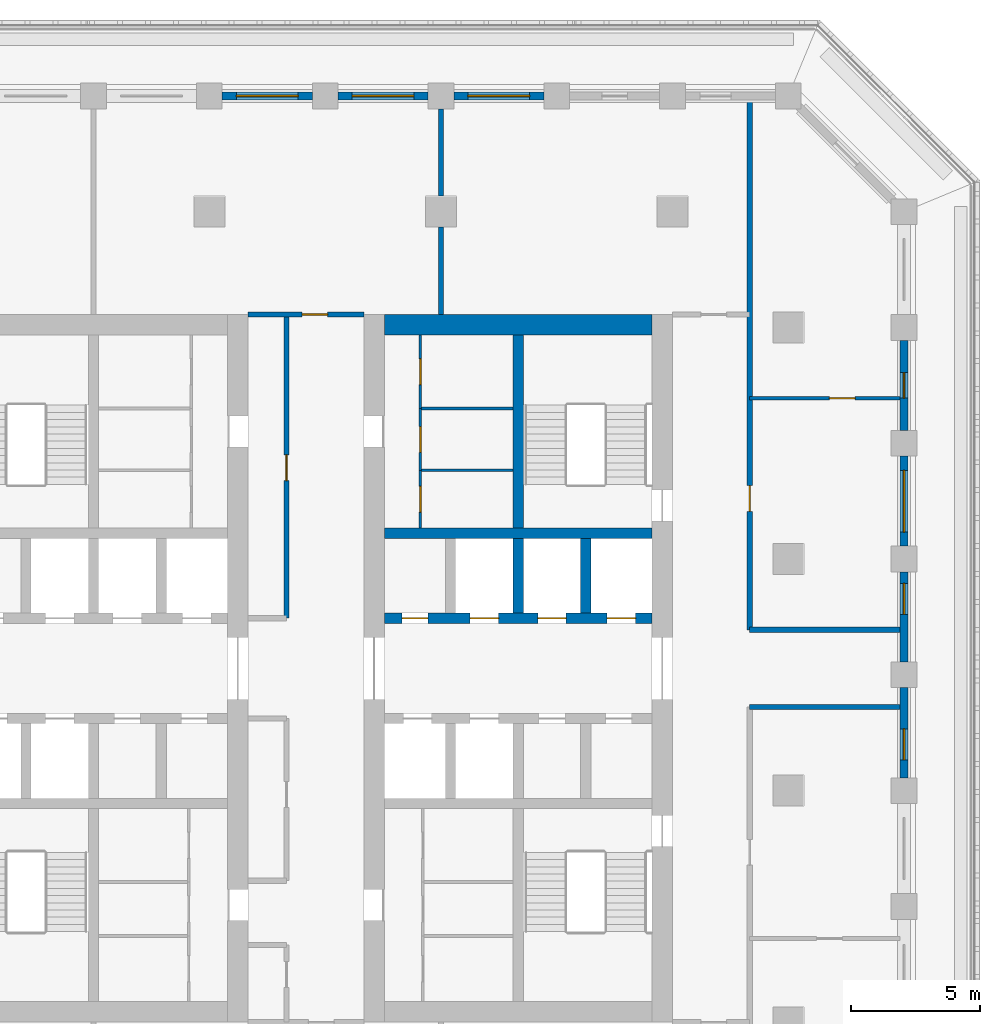
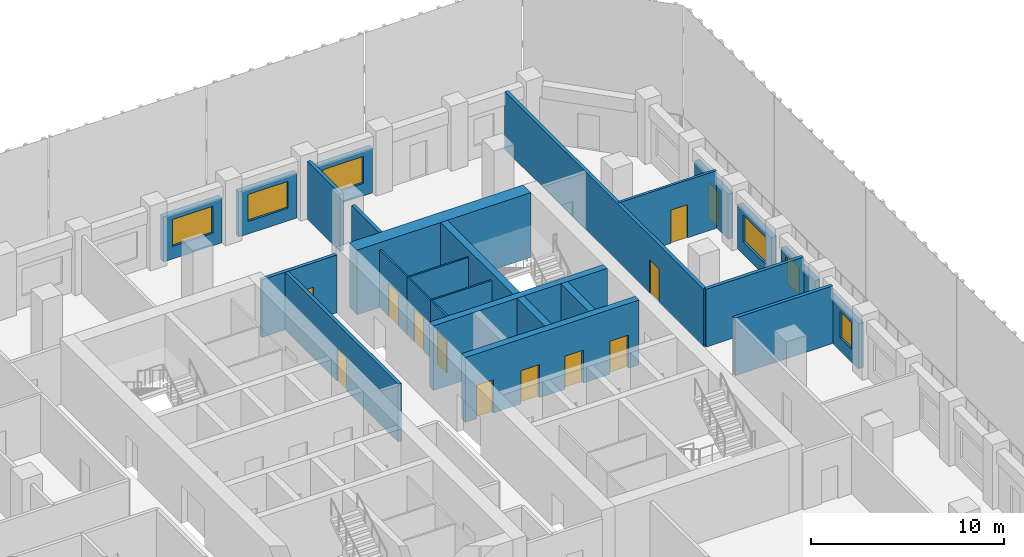
# One storey, part 7 of 16: 26 walls, 12 doors, 6 windows, 18 openings.
"""IFC4 building model written with IfcOpenShell, lengths in metres."""

from ifc_helpers import new_model, si_unit, direction, frame, frame_2d, origin, place, context, subcontext, project, spatial, rectangle, extrude, material, layer, layer_set, type_object, element, fill, save


model = new_model("IFC4")

# Units and contexts
model_context = context("Model", 3, precision=1e-05, world=origin(), true_north=direction((0.0, 1.0)))
body_context = subcontext(model_context, "Body", "Model", "MODEL_VIEW")
ifc_project = project(units=[si_unit("LENGTHUNIT", "METRE"), si_unit("AREAUNIT", "SQUARE_METRE"), si_unit("VOLUMEUNIT", "CUBIC_METRE"), si_unit("PLANEANGLEUNIT", "RADIAN"), si_unit("MASSUNIT", "GRAM", prefix="KILO")], contexts=[model_context])

# Site, building, storey
site_placement = place(None, origin())
site = spatial("IfcSite", under=ifc_project, at=site_placement, CompositionType="ELEMENT")
building_placement = place(site_placement, origin())
building = spatial("IfcBuilding", under=site, at=building_placement, Name="Corbel Stack Research Tower", CompositionType="ELEMENT")
storey_placement = place(building_placement, frame((0.0, 0.0, 165.0)))
storey = spatial("IfcBuildingStorey", under=building, at=storey_placement, Name="L37", CompositionType="ELEMENT", Elevation=165.0)

# Wall, openings, doors
ifc_material_1 = material(Name="Concrete C60/75", Category="concrete")
ifc_layer_1 = layer(ifc_material_1, 0.39990234375)
ifc_layer_set_1 = layer_set([ifc_layer_1], Name="Concrete C60/75")
wall_type_1 = type_object("IfcWallType", Name="CW-400-60", PredefinedType="SHEAR", material=ifc_layer_set_1)
wall_1_placement = place(storey_placement, frame((6.800048828125, 6.699951171875, 0.0), z_axis=(0.0, 0.0, 1.0), x_axis=(1.0, 0.0, 0.0)))
wall_1 = element("IfcWall", 1, at=wall_1_placement, inside=storey, type_object=wall_type_1, Name="East core wall, lobby north L37", PredefinedType="SHEAR", context=body_context, shape_type="SweptSolid", body=[
    extrude(rectangle(XDim=10.39990234375, YDim=0.39990234375, at=frame_2d((5.199951171875, 0.0))), origin(), (0.0, 0.0, 1.0), 4.10009765625),
])
opening_1_placement = place(wall_1_placement, frame((3.33740234375, 0.0, 0.0)))
opening_1 = element("IfcOpeningElement", 2, at=opening_1_placement, cuts=wall_1, Name="Opening LD-HR4", PredefinedType="OPENING", context=body_context, shape_type="SweptSolid", body=[
    extrude(rectangle(XDim=1.10009765625, YDim=2.10009765625, at=frame_2d((0.550048828125, 1.050048828125))), frame((0.0, 0.2099609375, 0.0), z_axis=(0.0, -1.0, 0.0), x_axis=(1.0, 0.0, 0.0)), (0.0, 0.0, 1.0), 0.419921875),
])
opening_2_placement = place(wall_1_placement, frame((5.96240234375, 0.0, 0.0)))
opening_2 = element("IfcOpeningElement", 3, at=opening_2_placement, cuts=wall_1, Name="Opening LD-HR5", PredefinedType="OPENING", context=body_context, shape_type="SweptSolid", body=[
    extrude(rectangle(XDim=1.10009765625, YDim=2.10009765625, at=frame_2d((0.550048828125, 1.050048828125))), frame((0.0, 0.2099609375, 0.0), z_axis=(0.0, -1.0, 0.0), x_axis=(1.0, 0.0, 0.0)), (0.0, 0.0, 1.0), 0.419921875),
])
opening_3_placement = place(wall_1_placement, frame((8.66259765625, 0.0, 0.0)))
opening_3 = element("IfcOpeningElement", 4, at=opening_3_placement, cuts=wall_1, Name="Opening LD-HR6", PredefinedType="OPENING", context=body_context, shape_type="SweptSolid", body=[
    extrude(rectangle(XDim=1.10009765625, YDim=2.10009765625, at=frame_2d((0.550048828125, 1.050048828125))), frame((0.0, 0.2099609375, 0.0), z_axis=(0.0, -1.0, 0.0), x_axis=(1.0, 0.0, 0.0)), (0.0, 0.0, 1.0), 0.419921875),
])
opening_4_placement = place(wall_1_placement, frame((0.6875, 0.0, 0.0)))
opening_4 = element("IfcOpeningElement", 5, at=opening_4_placement, cuts=wall_1, Name="Opening CR-E12-N1", PredefinedType="OPENING", context=body_context, shape_type="SweptSolid", body=[
    extrude(rectangle(XDim=1.0, YDim=2.10009765625, at=frame_2d((0.5, 1.050048828125))), frame((0.0, 0.2099609375, 0.0), z_axis=(0.0, -1.0, 0.0), x_axis=(1.0, 0.0, 0.0)), (0.0, 0.0, 1.0), 0.419921875),
])
ifc_material_2 = material(Name="Stainless steel landing door", Category="steel")
door_type_1 = type_object("IfcDoorType", Name="Lift landing door 1100 x 2100", OperationType="DOUBLE_DOOR_SLIDING", PredefinedType="DOOR", material=ifc_material_2)
door_1_placement = place(opening_1_placement, origin())
door_1 = element("IfcDoor", 6, at=door_1_placement, inside=storey, type_object=door_type_1, Name="Landing door HR4", OperationType="DOUBLE_DOOR_SLIDING", OverallHeight=2.10009765625, OverallWidth=1.10009765625, PredefinedType="DOOR", context=body_context, shape_type="SweptSolid", body=[
    extrude(rectangle(XDim=1.10009765625, YDim=2.10009765625, at=frame_2d((0.550048828125, 1.050048828125))), frame((0.0, 0.02490234375, 0.0), z_axis=(0.0, -1.0, 0.0), x_axis=(1.0, 0.0, 0.0)), (0.0, 0.0, 1.0), 0.050048828125),
])
fill(opening_1, door_1)
door_2_placement = place(opening_2_placement, origin())
door_2 = element("IfcDoor", 7, at=door_2_placement, inside=storey, type_object=door_type_1, Name="Landing door HR5", OperationType="DOUBLE_DOOR_SLIDING", OverallHeight=2.10009765625, OverallWidth=1.10009765625, PredefinedType="DOOR", context=body_context, shape_type="SweptSolid", body=[
    extrude(rectangle(XDim=1.10009765625, YDim=2.10009765625, at=frame_2d((0.550048828125, 1.050048828125))), frame((0.0, 0.02490234375, 0.0), z_axis=(0.0, -1.0, 0.0), x_axis=(1.0, 0.0, 0.0)), (0.0, 0.0, 1.0), 0.050048828125),
])
fill(opening_2, door_2)
door_3_placement = place(opening_3_placement, origin())
door_3 = element("IfcDoor", 8, at=door_3_placement, inside=storey, type_object=door_type_1, Name="Landing door HR6", OperationType="DOUBLE_DOOR_SLIDING", OverallHeight=2.10009765625, OverallWidth=1.10009765625, PredefinedType="DOOR", context=body_context, shape_type="SweptSolid", body=[
    extrude(rectangle(XDim=1.10009765625, YDim=2.10009765625, at=frame_2d((0.550048828125, 1.050048828125))), frame((0.0, 0.02490234375, 0.0), z_axis=(0.0, -1.0, 0.0), x_axis=(1.0, 0.0, 0.0)), (0.0, 0.0, 1.0), 0.050048828125),
])
fill(opening_3, door_3)
ifc_material_3 = material(Name="Painted steel door", Category="steel")
door_type_2 = type_object("IfcDoorType", Name="Service door 1000 x 2100 FD60 left hand", OperationType="SINGLE_SWING_LEFT", PredefinedType="DOOR", material=ifc_material_3)
door_4_placement = place(opening_4_placement, origin())
door_4 = element("IfcDoor", 9, at=door_4_placement, inside=storey, type_object=door_type_2, Name="Telecom room door E core", OperationType="SINGLE_SWING_LEFT", OverallHeight=2.10009765625, OverallWidth=1.0, PredefinedType="DOOR", context=body_context, shape_type="SweptSolid", body=[
    extrude(rectangle(XDim=1.0, YDim=2.10009765625, at=frame_2d((0.5, 1.050048828125))), frame((0.0, 0.02490234375, 0.0), z_axis=(0.0, -1.0, 0.0), x_axis=(1.0, 0.0, 0.0)), (0.0, 0.0, 1.0), 0.050048828125),
])
fill(opening_4, door_4)

# Walls
wall_2_placement = place(storey_placement, frame((6.800048828125, 10.0, 0.0), z_axis=(0.0, 0.0, 1.0), x_axis=(1.0, 0.0, 0.0)))
element("IfcWall", 10, at=wall_2_placement, inside=storey, type_object=wall_type_1, Name="East core wall, north row back L37", PredefinedType="SHEAR", context=body_context, shape_type="SweptSolid", body=[
    extrude(rectangle(XDim=10.39990234375, YDim=0.39990234375, at=frame_2d((5.199951171875, 0.0))), origin(), (0.0, 0.0, 1.0), 4.10009765625),
])
for number, where, z_axis, x_axis, name in (
    (11, (12.0, 6.89990234375, 0.0), (0.0, 0.0, 1.0), (0.0, 1.0, 0.0), "East core wall, north shaft 2 L37"),
    (12, (14.625, 6.89990234375, 0.0), (0.0, 0.0, 1.0), (0.0, 1.0, 0.0), "East core wall, north shaft 3 L37"),
):
    element("IfcWall", number, at=place(storey_placement, frame(where, z_axis=z_axis, x_axis=x_axis)), inside=storey, type_object=wall_type_1, Name=name, PredefinedType="SHEAR", context=body_context, shape_type="SweptSolid", body=[
        extrude(rectangle(XDim=2.900146484375, YDim=0.39990234375, at=frame_2d((1.4501953125, 0.0))), origin(), (0.0, 0.0, 1.0), 4.10009765625),
    ])
wall_3_placement = place(storey_placement, frame((12.0, 10.199951171875, 0.0), z_axis=(0.0, 0.0, 1.0), x_axis=(0.0, 1.0, 0.0)))
element("IfcWall", 13, at=wall_3_placement, inside=storey, type_object=wall_type_1, Name="East core wall, north stair and riser L37", PredefinedType="SHEAR", context=body_context, shape_type="SweptSolid", body=[
    extrude(rectangle(XDim=7.5, YDim=0.39990234375, at=frame_2d((3.75, 0.0))), origin(), (0.0, 0.0, 1.0), 4.10009765625),
])
ifc_material_4 = material(Name="Concrete C60/75", Category="concrete")
ifc_layer_2 = layer(ifc_material_4, 0.800048828125)
ifc_layer_set_2 = layer_set([ifc_layer_2], Name="Concrete C60/75")
wall_type_2 = type_object("IfcWallType", Name="CW-800-60", PredefinedType="SHEAR", material=ifc_layer_set_2)
wall_4_placement = place(storey_placement, frame((6.800048828125, 18.10009765625, 0.0), z_axis=(0.0, 0.0, 1.0), x_axis=(1.0, 0.0, 0.0)))
element("IfcWall", 14, at=wall_4_placement, inside=storey, type_object=wall_type_2, Name="East core wall, north end L37", PredefinedType="SHEAR", context=body_context, shape_type="SweptSolid", body=[
    extrude(rectangle(XDim=10.39990234375, YDim=0.800048828125, at=frame_2d((5.199951171875, 0.0))), origin(), (0.0, 0.0, 1.0), 4.10009765625),
])

# Wall, opening, door
ifc_material_5 = material(Name="Gypsum board")
ifc_layer_3 = layer(ifc_material_5, 0.10009765625)
ifc_layer_set_3 = layer_set([ifc_layer_3], Name="Gypsum board")
wall_type_3 = type_object("IfcWallType", Name="Core partition 100", PredefinedType="PARTITIONING", material=ifc_layer_set_3)
wall_5_placement = place(storey_placement, frame((8.199951171875, 10.199951171875, 0.0), z_axis=(0.0, 0.0, 1.0), x_axis=(0.0, 1.0, 0.0)))
wall_5 = element("IfcWall", 15, at=wall_5_placement, inside=storey, type_object=wall_type_3, Name="Core partition E", PredefinedType="PARTITIONING", context=body_context, shape_type="SweptSolid", body=[
    extrude(rectangle(XDim=2.25, YDim=0.10009765625, at=frame_2d((1.125, 0.0))), origin(), (0.0, 0.0, 1.0), 3.64990234375),
])
opening_5_placement = place(wall_5_placement, frame((0.625, 0.0, 0.0)))
opening_5 = element("IfcOpeningElement", 16, at=opening_5_placement, cuts=wall_5, Name="Opening CR-E12-R2-1000", PredefinedType="OPENING", context=body_context, shape_type="SweptSolid", body=[
    extrude(rectangle(XDim=1.0, YDim=2.10009765625, at=frame_2d((0.5, 1.050048828125))), frame((0.0, 0.06005859375, 0.0), z_axis=(0.0, -1.0, 0.0), x_axis=(1.0, 0.0, 0.0)), (0.0, 0.0, 1.0), 0.1201171875),
])
ifc_material_6 = material(Name="Painted steel door", Category="steel")
door_type_3 = type_object("IfcDoorType", Name="Riser door 1000 x 2100 FD60 left hand", OperationType="SINGLE_SWING_LEFT", PredefinedType="DOOR", material=ifc_material_6)
door_5_placement = place(opening_5_placement, origin())
door_5 = element("IfcDoor", 17, at=door_5_placement, inside=storey, type_object=door_type_3, Name="Mechanical riser door E core", OperationType="SINGLE_SWING_LEFT", OverallHeight=2.10009765625, OverallWidth=1.0, PredefinedType="DOOR", context=body_context, shape_type="SweptSolid", body=[
    extrude(rectangle(XDim=1.0, YDim=2.10009765625, at=frame_2d((0.5, 1.050048828125))), frame((0.0, 0.02490234375, 0.0), z_axis=(0.0, -1.0, 0.0), x_axis=(1.0, 0.0, 0.0)), (0.0, 0.0, 1.0), 0.050048828125),
])
fill(opening_5, door_5)

wall_6_placement = place(storey_placement, frame((8.199951171875, 12.449951171875, 0.0), z_axis=(0.0, 0.0, 1.0), x_axis=(0.0, 1.0, 0.0)))
wall_6 = element("IfcWall", 18, at=wall_6_placement, inside=storey, type_object=wall_type_3, Name="Core partition E", PredefinedType="PARTITIONING", context=body_context, shape_type="SweptSolid", body=[
    extrude(rectangle(XDim=2.400146484375, YDim=0.10009765625, at=frame_2d((1.2001953125, 0.0))), origin(), (0.0, 0.0, 1.0), 3.64990234375),
])
opening_6_placement = place(wall_6_placement, frame((0.699951171875, 0.0, 0.0)))
opening_6 = element("IfcOpeningElement", 19, at=opening_6_placement, cuts=wall_6, Name="Opening CR-E12-R3-1000", PredefinedType="OPENING", context=body_context, shape_type="SweptSolid", body=[
    extrude(rectangle(XDim=1.0, YDim=2.10009765625, at=frame_2d((0.5, 1.050048828125))), frame((0.0, 0.06005859375, 0.0), z_axis=(0.0, -1.0, 0.0), x_axis=(1.0, 0.0, 0.0)), (0.0, 0.0, 1.0), 0.1201171875),
])
ifc_material_7 = material(Name="Painted steel door", Category="steel")
door_type_4 = type_object("IfcDoorType", Name="Service door 1000 x 2100 FD30 right hand", OperationType="SINGLE_SWING_RIGHT", PredefinedType="DOOR", material=ifc_material_7)
door_6_placement = place(opening_6_placement, origin())
door_6 = element("IfcDoor", 20, at=door_6_placement, inside=storey, type_object=door_type_4, Name="Pantry door E core", OperationType="SINGLE_SWING_RIGHT", OverallHeight=2.10009765625, OverallWidth=1.0, PredefinedType="DOOR", context=body_context, shape_type="SweptSolid", body=[
    extrude(rectangle(XDim=1.0, YDim=2.10009765625, at=frame_2d((0.5, 1.050048828125))), frame((0.0, 0.02490234375, 0.0), z_axis=(0.0, -1.0, 0.0), x_axis=(1.0, 0.0, 0.0)), (0.0, 0.0, 1.0), 0.050048828125),
])
fill(opening_6, door_6)

wall_7_placement = place(storey_placement, frame((8.199951171875, 14.85009765625, 0.0), z_axis=(0.0, 0.0, 1.0), x_axis=(0.0, 1.0, 0.0)))
wall_7 = element("IfcWall", 21, at=wall_7_placement, inside=storey, type_object=wall_type_3, Name="Core partition E", PredefinedType="PARTITIONING", context=body_context, shape_type="SweptSolid", body=[
    extrude(rectangle(XDim=2.849853515625, YDim=0.10009765625, at=frame_2d((1.4248046875, 0.0))), origin(), (0.0, 0.0, 1.0), 3.64990234375),
])
opening_7_placement = place(wall_7_placement, frame((0.925048828125, 0.0, 0.0)))
opening_7 = element("IfcOpeningElement", 22, at=opening_7_placement, cuts=wall_7, Name="Opening CR-E12-R4-1000", PredefinedType="OPENING", context=body_context, shape_type="SweptSolid", body=[
    extrude(rectangle(XDim=1.0, YDim=2.10009765625, at=frame_2d((0.5, 1.050048828125))), frame((0.0, 0.06005859375, 0.0), z_axis=(0.0, -1.0, 0.0), x_axis=(1.0, 0.0, 0.0)), (0.0, 0.0, 1.0), 0.1201171875),
])
door_7_placement = place(opening_7_placement, origin())
door_7 = element("IfcDoor", 23, at=door_7_placement, inside=storey, type_object=door_type_3, Name="Electrical riser door E core", OperationType="SINGLE_SWING_LEFT", OverallHeight=2.10009765625, OverallWidth=1.0, PredefinedType="DOOR", context=body_context, shape_type="SweptSolid", body=[
    extrude(rectangle(XDim=1.0, YDim=2.10009765625, at=frame_2d((0.5, 1.050048828125))), frame((0.0, 0.02490234375, 0.0), z_axis=(0.0, -1.0, 0.0), x_axis=(1.0, 0.0, 0.0)), (0.0, 0.0, 1.0), 0.050048828125),
])
fill(opening_7, door_7)

# Walls
for number, where, z_axis, x_axis, name in (
    (24, (8.199951171875, 12.449951171875, 0.0), (0.0, 0.0, 1.0), (1.0, 0.0, 0.0), "Core partition E"),
    (25, (8.199951171875, 14.85009765625, 0.0), (0.0, 0.0, 1.0), (1.0, 0.0, 0.0), "Core partition E"),
):
    element("IfcWall", number, at=place(storey_placement, frame(where, z_axis=z_axis, x_axis=x_axis)), inside=storey, type_object=wall_type_3, Name=name, PredefinedType="PARTITIONING", context=body_context, shape_type="SweptSolid", body=[
        extrude(rectangle(XDim=3.60009765625, YDim=0.10009765625, at=frame_2d((1.800048828125, 0.0))), origin(), (0.0, 0.0, 1.0), 3.64990234375),
    ])

# Wall, opening, door
ifc_material_8 = material(Name="Fire-rated gypsum board partition on steel studs", Category="steel")
ifc_layer_4 = layer(ifc_material_8, 0.199951171875)
ifc_layer_set_4 = layer_set([ifc_layer_4], Name="Fire-rated gypsum board partition on steel studs")
wall_type_4 = type_object("IfcWallType", Name="Fire-rated partition 200 EI 60", PredefinedType="PARTITIONING", material=ifc_layer_set_4)
wall_8_placement = place(storey_placement, frame((3.0, 6.699951171875, 0.0), z_axis=(0.0, 0.0, 1.0), x_axis=(0.0, 1.0, 0.0)))
wall_8 = element("IfcWall", 26, at=wall_8_placement, inside=storey, type_object=wall_type_4, Name="Partition L37-015", PredefinedType="PARTITIONING", context=body_context, shape_type="SweptSolid", body=[
    extrude(rectangle(XDim=11.800048828125, YDim=0.199951171875, at=frame_2d((5.89990234375, 0.0))), origin(), (0.0, 0.0, 1.0), 3.64990234375),
])
opening_8_placement = place(wall_8_placement, frame((5.35009765625, 0.0, 0.0)))
opening_8 = element("IfcOpeningElement", 27, at=opening_8_placement, cuts=wall_8, Name="Opening B5V1-014", PredefinedType="OPENING", context=body_context, shape_type="SweptSolid", body=[
    extrude(rectangle(XDim=1.0, YDim=2.10009765625, at=frame_2d((0.5, 1.050048828125))), frame((0.0, 0.10986328125, 0.0), z_axis=(0.0, -1.0, 0.0), x_axis=(1.0, 0.0, 0.0)), (0.0, 0.0, 1.0), 0.219970703125),
])
ifc_material_9 = material(Name="Painted steel fire door", Category="steel")
door_type_5 = type_object("IfcDoorType", Name="Fire door FD30S 1000 x 2100", OperationType="NOTDEFINED", PredefinedType="DOOR", material=ifc_material_9)
door_8_placement = place(opening_8_placement, origin())
door_8 = element("IfcDoor", 28, at=door_8_placement, inside=storey, type_object=door_type_5, Name="Door B5V1-014", OperationType="SINGLE_SWING_LEFT", OverallHeight=2.10009765625, OverallWidth=1.0, PredefinedType="DOOR", context=body_context, shape_type="SweptSolid", body=[
    extrude(rectangle(XDim=1.0, YDim=2.10009765625, at=frame_2d((0.5, 1.050048828125))), frame((0.0, 0.02490234375, 0.0), z_axis=(0.0, -1.0, 0.0), x_axis=(1.0, 0.0, 0.0)), (0.0, 0.0, 1.0), 0.050048828125),
])
fill(opening_8, door_8)

# Walls
for number, where, z_axis, x_axis, name in (
    (29, (9.0, 18.5, 0.0), (0.0, 0.0, 1.0), (0.0, 1.0, 0.0), "Partition L37-018"),
    (30, (9.0, 23.10009765625, 0.0), (0.0, 0.0, 1.0), (0.0, 1.0, 0.0), "Partition L37-019"),
):
    element("IfcWall", number, at=place(storey_placement, frame(where, z_axis=z_axis, x_axis=x_axis)), inside=storey, type_object=wall_type_4, Name=name, PredefinedType="PARTITIONING", context=body_context, shape_type="SweptSolid", body=[
        extrude(rectangle(XDim=3.39990234375, YDim=0.199951171875, at=frame_2d((1.699951171875, 0.0))), origin(), (0.0, 0.0, 1.0), 3.64990234375),
    ])

# Wall, opening, door
wall_9_placement = place(storey_placement, frame((21.0, 26.85009765625, 0.0), z_axis=(0.0, 0.0, 1.0), x_axis=(0.0, -1.0, 0.0)))
wall_9 = element("IfcWall", 31, at=wall_9_placement, inside=storey, type_object=wall_type_4, Name="Partition L37-021", PredefinedType="PARTITIONING", context=body_context, shape_type="SweptSolid", body=[
    extrude(rectangle(XDim=20.60009765625, YDim=0.199951171875, at=frame_2d((10.300048828125, 0.0))), origin(), (0.0, 0.0, 1.0), 3.64990234375),
])
opening_9_placement = place(wall_9_placement, frame((15.0, 0.0, 0.0)))
opening_9 = element("IfcOpeningElement", 32, at=opening_9_placement, cuts=wall_9, Name="Opening B5V1-024", PredefinedType="OPENING", context=body_context, shape_type="SweptSolid", body=[
    extrude(rectangle(XDim=1.0, YDim=2.10009765625, at=frame_2d((0.5, 1.050048828125))), frame((0.0, 0.10986328125, 0.0), z_axis=(0.0, -1.0, 0.0), x_axis=(1.0, 0.0, 0.0)), (0.0, 0.0, 1.0), 0.219970703125),
])
door_9_placement = place(opening_9_placement, origin())
door_9 = element("IfcDoor", 33, at=door_9_placement, inside=storey, type_object=door_type_5, Name="Door B5V1-024", OperationType="SINGLE_SWING_RIGHT", OverallHeight=2.10009765625, OverallWidth=1.0, PredefinedType="DOOR", context=body_context, shape_type="SweptSolid", body=[
    extrude(rectangle(XDim=1.0, YDim=2.10009765625, at=frame_2d((0.5, 1.050048828125))), frame((0.0, 0.02490234375, 0.0), z_axis=(0.0, -1.0, 0.0), x_axis=(1.0, 0.0, 0.0)), (0.0, 0.0, 1.0), 0.050048828125),
])
fill(opening_9, door_9)

# Walls
for number, where, z_axis, x_axis, name in (
    (34, (21.0, 3.25, 0.0), (0.0, 0.0, 1.0), (1.0, 0.0, 0.0), "Partition L37-036"),
    (35, (21.0, 6.25, 0.0), (0.0, 0.0, 1.0), (1.0, 0.0, 0.0), "Partition L37-038"),
):
    element("IfcWall", number, at=place(storey_placement, frame(where, z_axis=z_axis, x_axis=x_axis)), inside=storey, type_object=wall_type_4, Name=name, PredefinedType="PARTITIONING", context=body_context, shape_type="SweptSolid", body=[
        extrude(rectangle(XDim=5.85009765625, YDim=0.199951171875, at=frame_2d((2.925048828125, 0.0))), origin(), (0.0, 0.0, 1.0), 3.64990234375),
    ])

# Wall, opening, door
wall_10_placement = place(storey_placement, frame((1.5, 18.5, 0.0), z_axis=(0.0, 0.0, 1.0), x_axis=(1.0, 0.0, 0.0)))
wall_10 = element("IfcWall", 36, at=wall_10_placement, inside=storey, type_object=wall_type_4, Name="Partition L37-043", PredefinedType="PARTITIONING", context=body_context, shape_type="SweptSolid", body=[
    extrude(rectangle(XDim=4.5, YDim=0.199951171875, at=frame_2d((2.25, 0.0))), origin(), (0.0, 0.0, 1.0), 3.64990234375),
])
opening_10_placement = place(wall_10_placement, frame((2.10009765625, 0.0, 0.0)))
opening_10 = element("IfcOpeningElement", 37, at=opening_10_placement, cuts=wall_10, Name="Opening B5V1-021", PredefinedType="OPENING", context=body_context, shape_type="SweptSolid", body=[
    extrude(rectangle(XDim=1.0, YDim=2.10009765625, at=frame_2d((0.5, 1.050048828125))), frame((0.0, 0.10986328125, 0.0), z_axis=(0.0, -1.0, 0.0), x_axis=(1.0, 0.0, 0.0)), (0.0, 0.0, 1.0), 0.219970703125),
])
door_10_placement = place(opening_10_placement, origin())
door_10 = element("IfcDoor", 38, at=door_10_placement, inside=storey, type_object=door_type_5, Name="Door B5V1-021", OperationType="SINGLE_SWING_RIGHT", OverallHeight=2.10009765625, OverallWidth=1.0, PredefinedType="DOOR", context=body_context, shape_type="SweptSolid", body=[
    extrude(rectangle(XDim=1.0, YDim=2.10009765625, at=frame_2d((0.5, 1.050048828125))), frame((0.0, 0.02490234375, 0.0), z_axis=(0.0, -1.0, 0.0), x_axis=(1.0, 0.0, 0.0)), (0.0, 0.0, 1.0), 0.050048828125),
])
fill(opening_10, door_10)

ifc_material_10 = material(Name="Gypsum board partition on steel studs", Category="steel")
ifc_layer_5 = layer(ifc_material_10, 0.14990234375)
ifc_layer_set_5 = layer_set([ifc_layer_5], Name="Gypsum board partition on steel studs")
wall_type_5 = type_object("IfcWallType", Name="Partition 150", PredefinedType="PARTITIONING", material=ifc_layer_set_5)
wall_11_placement = place(storey_placement, frame((21.0, 15.25, 0.0), z_axis=(0.0, 0.0, 1.0), x_axis=(1.0, 0.0, 0.0)))
wall_11 = element("IfcWall", 39, at=wall_11_placement, inside=storey, type_object=wall_type_5, Name="Partition L37-041", PredefinedType="PARTITIONING", context=body_context, shape_type="SweptSolid", body=[
    extrude(rectangle(XDim=5.85009765625, YDim=0.14990234375, at=frame_2d((2.925048828125, 0.0))), origin(), (0.0, 0.0, 1.0), 3.64990234375),
])
opening_11_placement = place(wall_11_placement, frame((3.10009765625, 0.0, 0.0)))
opening_11 = element("IfcOpeningElement", 40, at=opening_11_placement, cuts=wall_11, Name="Opening B5V1-019", PredefinedType="OPENING", context=body_context, shape_type="SweptSolid", body=[
    extrude(rectangle(XDim=1.0, YDim=2.10009765625, at=frame_2d((0.5, 1.050048828125))), frame((0.0, 0.0849609375, 0.0), z_axis=(0.0, -1.0, 0.0), x_axis=(1.0, 0.0, 0.0)), (0.0, 0.0, 1.0), 0.169921875),
])
ifc_material_11 = material(Name="Painted timber door", Category="wood")
door_type_6 = type_object("IfcDoorType", Name="Single door 1000 x 2100", OperationType="NOTDEFINED", PredefinedType="DOOR", material=ifc_material_11)
door_11_placement = place(opening_11_placement, origin())
door_11 = element("IfcDoor", 41, at=door_11_placement, inside=storey, type_object=door_type_6, Name="Door B5V1-019", OperationType="SINGLE_SWING_RIGHT", OverallHeight=2.10009765625, OverallWidth=1.0, PredefinedType="DOOR", context=body_context, shape_type="SweptSolid", body=[
    extrude(rectangle(XDim=1.0, YDim=2.10009765625, at=frame_2d((0.5, 1.050048828125))), frame((0.0, 0.02490234375, 0.0), z_axis=(0.0, -1.0, 0.0), x_axis=(1.0, 0.0, 0.0)), (0.0, 0.0, 1.0), 0.050048828125),
])
fill(opening_11, door_11)

# Wall, opening, window
ifc_material_12 = material(Name="Concrete C45/55", Category="concrete")
ifc_layer_6 = layer(ifc_material_12, 0.300048828125)
ifc_layer_set_6 = layer_set([ifc_layer_6], Name="Concrete C45/55")
wall_type_6 = type_object("IfcWallType", Name="Terracotta-faced concrete wall 300", PredefinedType="SOLIDWALL", material=ifc_layer_set_6)
wall_12_placement = place(storey_placement, frame((27.0, 4.0, 0.0), z_axis=(0.0, 0.0, 1.0), x_axis=(0.0, -1.0, 0.0)))
wall_12 = element("IfcWall", 42, at=wall_12_placement, inside=storey, type_object=wall_type_6, Name="Facade wall L37 E06", PredefinedType="SOLIDWALL", context=body_context, shape_type="SweptSolid", body=[
    extrude(rectangle(XDim=3.5, YDim=0.300048828125, at=frame_2d((1.75, 0.0))), origin(), (0.0, 0.0, 1.0), 2.85009765625),
])
opening_12_placement = place(wall_12_placement, frame((1.60009765625, 0.0, 0.800048828125)))
opening_12 = element("IfcOpeningElement", 43, at=opening_12_placement, cuts=wall_12, Name="Opening W2", PredefinedType="OPENING", context=body_context, shape_type="SweptSolid", body=[
    extrude(rectangle(XDim=1.199951171875, YDim=1.699951171875, at=frame_2d((0.60009765625, 0.85009765625))), frame((0.0, 0.159912109375, 0.0), z_axis=(0.0, -1.0, 0.0), x_axis=(1.0, 0.0, 0.0)), (0.0, 0.0, 1.0), 0.320068359375),
])
ifc_material_13 = material(Name="Aluminium frame, clear double glazing", Category="aluminium")
window_type_1 = type_object("IfcWindowType", Name="Window W2 1200 x 1700", PartitioningType="SINGLE_PANEL", PredefinedType="WINDOW", material=ifc_material_13)
window_1_placement = place(opening_12_placement, origin())
window_1 = element("IfcWindow", 44, at=window_1_placement, inside=storey, type_object=window_type_1, Name="Window W2 L37 E06", OverallHeight=1.699951171875, OverallWidth=1.199951171875, PartitioningType="SINGLE_PANEL", PredefinedType="WINDOW", context=body_context, shape_type="SweptSolid", body=[
    extrude(rectangle(XDim=1.199951171875, YDim=1.699951171875, at=frame_2d((0.60009765625, 0.85009765625))), frame((0.0, 0.030029296875, 0.0), z_axis=(0.0, -1.0, 0.0), x_axis=(1.0, 0.0, 0.0)), (0.0, 0.0, 1.0), 0.06005859375),
])
fill(opening_12, window_1)

wall_13_placement = place(storey_placement, frame((27.0, 8.5, 0.0), z_axis=(0.0, 0.0, 1.0), x_axis=(0.0, -1.0, 0.0)))
wall_13 = element("IfcWall", 45, at=wall_13_placement, inside=storey, type_object=wall_type_6, Name="Facade wall L37 E07", PredefinedType="SOLIDWALL", context=body_context, shape_type="SweptSolid", body=[
    extrude(rectangle(XDim=3.5, YDim=0.300048828125, at=frame_2d((1.75, 0.0))), origin(), (0.0, 0.0, 1.0), 2.85009765625),
])
opening_13_placement = place(wall_13_placement, frame((0.449951171875, 0.0, 0.800048828125)))
opening_13 = element("IfcOpeningElement", 46, at=opening_13_placement, cuts=wall_13, Name="Opening W2", PredefinedType="OPENING", context=body_context, shape_type="SweptSolid", body=[
    extrude(rectangle(XDim=1.199951171875, YDim=1.699951171875, at=frame_2d((0.60009765625, 0.85009765625))), frame((0.0, 0.159912109375, 0.0), z_axis=(0.0, -1.0, 0.0), x_axis=(1.0, 0.0, 0.0)), (0.0, 0.0, 1.0), 0.320068359375),
])
window_2_placement = place(opening_13_placement, origin())
window_2 = element("IfcWindow", 47, at=window_2_placement, inside=storey, type_object=window_type_1, Name="Window W2 L37 E07", OverallHeight=1.699951171875, OverallWidth=1.199951171875, PartitioningType="SINGLE_PANEL", PredefinedType="WINDOW", context=body_context, shape_type="SweptSolid", body=[
    extrude(rectangle(XDim=1.199951171875, YDim=1.699951171875, at=frame_2d((0.60009765625, 0.85009765625))), frame((0.0, 0.030029296875, 0.0), z_axis=(0.0, -1.0, 0.0), x_axis=(1.0, 0.0, 0.0)), (0.0, 0.0, 1.0), 0.06005859375),
])
fill(opening_13, window_2)

wall_14_placement = place(storey_placement, frame((27.0, 13.0, 0.0), z_axis=(0.0, 0.0, 1.0), x_axis=(0.0, -1.0, 0.0)))
wall_14 = element("IfcWall", 48, at=wall_14_placement, inside=storey, type_object=wall_type_6, Name="Facade wall L37 E08", PredefinedType="SOLIDWALL", context=body_context, shape_type="SweptSolid", body=[
    extrude(rectangle(XDim=3.5, YDim=0.300048828125, at=frame_2d((1.75, 0.0))), origin(), (0.0, 0.0, 1.0), 2.85009765625),
])
opening_14_placement = place(wall_14_placement, frame((0.550048828125, 0.0, 0.800048828125)))
opening_14 = element("IfcOpeningElement", 49, at=opening_14_placement, cuts=wall_14, Name="Opening W1", PredefinedType="OPENING", context=body_context, shape_type="SweptSolid", body=[
    extrude(rectangle(XDim=2.39990234375, YDim=1.699951171875, at=frame_2d((1.199951171875, 0.85009765625))), frame((0.0, 0.159912109375, 0.0), z_axis=(0.0, -1.0, 0.0), x_axis=(1.0, 0.0, 0.0)), (0.0, 0.0, 1.0), 0.320068359375),
])
ifc_material_14 = material(Name="Aluminium frame, clear double glazing", Category="aluminium")
window_type_2 = type_object("IfcWindowType", Name="Window W1 2400 x 1700", PartitioningType="SINGLE_PANEL", PredefinedType="WINDOW", material=ifc_material_14)
window_3_placement = place(opening_14_placement, origin())
window_3 = element("IfcWindow", 50, at=window_3_placement, inside=storey, type_object=window_type_2, Name="Window W1 L37 E08", OverallHeight=1.699951171875, OverallWidth=2.39990234375, PartitioningType="SINGLE_PANEL", PredefinedType="WINDOW", context=body_context, shape_type="SweptSolid", body=[
    extrude(rectangle(XDim=2.39990234375, YDim=1.699951171875, at=frame_2d((1.199951171875, 0.85009765625))), frame((0.0, 0.030029296875, 0.0), z_axis=(0.0, -1.0, 0.0), x_axis=(1.0, 0.0, 0.0)), (0.0, 0.0, 1.0), 0.06005859375),
])
fill(opening_14, window_3)

# Wall, opening, door
wall_15_placement = place(storey_placement, frame((27.0, 17.5, 0.0), z_axis=(0.0, 0.0, 1.0), x_axis=(0.0, -1.0, 0.0)))
wall_15 = element("IfcWall", 51, at=wall_15_placement, inside=storey, type_object=wall_type_6, Name="Facade wall L37 E09", PredefinedType="SOLIDWALL", context=body_context, shape_type="SweptSolid", body=[
    extrude(rectangle(XDim=3.5, YDim=0.300048828125, at=frame_2d((1.75, 0.0))), origin(), (0.0, 0.0, 1.0), 2.85009765625),
])
opening_15_placement = place(wall_15_placement, frame((1.25, 0.0, 0.0)))
opening_15 = element("IfcOpeningElement", 52, at=opening_15_placement, cuts=wall_15, Name="Opening L37-B05", PredefinedType="OPENING", context=body_context, shape_type="SweptSolid", body=[
    extrude(rectangle(XDim=1.0, YDim=2.199951171875, at=frame_2d((0.5, 1.10009765625))), frame((0.0, 0.159912109375, 0.0), z_axis=(0.0, -1.0, 0.0), x_axis=(1.0, 0.0, 0.0)), (0.0, 0.0, 1.0), 0.320068359375),
])
ifc_material_15 = material(Name="Aluminium frame, clear double glazing", Category="aluminium")
door_type_7 = type_object("IfcDoorType", Name="Balcony door BD1 1000 x 2200", OperationType="NOTDEFINED", PredefinedType="DOOR", material=ifc_material_15)
door_12_placement = place(opening_15_placement, origin())
door_12 = element("IfcDoor", 53, at=door_12_placement, inside=storey, type_object=door_type_7, Name="Balcony door L37-B05", OperationType="SINGLE_SWING_RIGHT", OverallHeight=2.199951171875, OverallWidth=1.0, PredefinedType="DOOR", context=body_context, shape_type="SweptSolid", body=[
    extrude(rectangle(XDim=1.0, YDim=2.199951171875, at=frame_2d((0.5, 1.10009765625))), frame((0.0, 0.02490234375, 0.0), z_axis=(0.0, -1.0, 0.0), x_axis=(1.0, 0.0, 0.0)), (0.0, 0.0, 1.0), 0.050048828125),
])
fill(opening_15, door_12)

# Wall, opening, window
wall_16_placement = place(storey_placement, frame((9.5, 27.0, 0.0), z_axis=(0.0, 0.0, 1.0), x_axis=(1.0, 0.0, 0.0)))
wall_16 = element("IfcWall", 54, at=wall_16_placement, inside=storey, type_object=wall_type_6, Name="Facade wall L37 N03", PredefinedType="SOLIDWALL", context=body_context, shape_type="SweptSolid", body=[
    extrude(rectangle(XDim=3.5, YDim=0.300048828125, at=frame_2d((1.75, 0.0))), origin(), (0.0, 0.0, 1.0), 2.85009765625),
])
opening_16_placement = place(wall_16_placement, frame((0.550048828125, 0.0, 0.800048828125)))
opening_16 = element("IfcOpeningElement", 55, at=opening_16_placement, cuts=wall_16, Name="Opening W1", PredefinedType="OPENING", context=body_context, shape_type="SweptSolid", body=[
    extrude(rectangle(XDim=2.39990234375, YDim=1.699951171875, at=frame_2d((1.199951171875, 0.85009765625))), frame((0.0, 0.159912109375, 0.0), z_axis=(0.0, -1.0, 0.0), x_axis=(1.0, 0.0, 0.0)), (0.0, 0.0, 1.0), 0.320068359375),
])
window_4_placement = place(opening_16_placement, origin())
window_4 = element("IfcWindow", 56, at=window_4_placement, inside=storey, type_object=window_type_2, Name="Window W1 L37 N03", OverallHeight=1.699951171875, OverallWidth=2.39990234375, PartitioningType="SINGLE_PANEL", PredefinedType="WINDOW", context=body_context, shape_type="SweptSolid", body=[
    extrude(rectangle(XDim=2.39990234375, YDim=1.699951171875, at=frame_2d((1.199951171875, 0.85009765625))), frame((0.0, 0.030029296875, 0.0), z_axis=(0.0, -1.0, 0.0), x_axis=(1.0, 0.0, 0.0)), (0.0, 0.0, 1.0), 0.06005859375),
])
fill(opening_16, window_4)

wall_17_placement = place(storey_placement, frame((5.0, 27.0, 0.0), z_axis=(0.0, 0.0, 1.0), x_axis=(1.0, 0.0, 0.0)))
wall_17 = element("IfcWall", 57, at=wall_17_placement, inside=storey, type_object=wall_type_6, Name="Facade wall L37 N04", PredefinedType="SOLIDWALL", context=body_context, shape_type="SweptSolid", body=[
    extrude(rectangle(XDim=3.5, YDim=0.300048828125, at=frame_2d((1.75, 0.0))), origin(), (0.0, 0.0, 1.0), 2.85009765625),
])
opening_17_placement = place(wall_17_placement, frame((0.550048828125, 0.0, 0.800048828125)))
opening_17 = element("IfcOpeningElement", 58, at=opening_17_placement, cuts=wall_17, Name="Opening W1", PredefinedType="OPENING", context=body_context, shape_type="SweptSolid", body=[
    extrude(rectangle(XDim=2.39990234375, YDim=1.699951171875, at=frame_2d((1.199951171875, 0.85009765625))), frame((0.0, 0.159912109375, 0.0), z_axis=(0.0, -1.0, 0.0), x_axis=(1.0, 0.0, 0.0)), (0.0, 0.0, 1.0), 0.320068359375),
])
window_5_placement = place(opening_17_placement, origin())
window_5 = element("IfcWindow", 59, at=window_5_placement, inside=storey, type_object=window_type_2, Name="Window W1 L37 N04", OverallHeight=1.699951171875, OverallWidth=2.39990234375, PartitioningType="SINGLE_PANEL", PredefinedType="WINDOW", context=body_context, shape_type="SweptSolid", body=[
    extrude(rectangle(XDim=2.39990234375, YDim=1.699951171875, at=frame_2d((1.199951171875, 0.85009765625))), frame((0.0, 0.030029296875, 0.0), z_axis=(0.0, -1.0, 0.0), x_axis=(1.0, 0.0, 0.0)), (0.0, 0.0, 1.0), 0.06005859375),
])
fill(opening_17, window_5)

wall_18_placement = place(storey_placement, frame((0.5, 27.0, 0.0), z_axis=(0.0, 0.0, 1.0), x_axis=(1.0, 0.0, 0.0)))
wall_18 = element("IfcWall", 60, at=wall_18_placement, inside=storey, type_object=wall_type_6, Name="Facade wall L37 N05", PredefinedType="SOLIDWALL", context=body_context, shape_type="SweptSolid", body=[
    extrude(rectangle(XDim=3.5, YDim=0.300048828125, at=frame_2d((1.75, 0.0))), origin(), (0.0, 0.0, 1.0), 2.85009765625),
])
opening_18_placement = place(wall_18_placement, frame((0.550048828125, 0.0, 0.800048828125)))
opening_18 = element("IfcOpeningElement", 61, at=opening_18_placement, cuts=wall_18, Name="Opening W1", PredefinedType="OPENING", context=body_context, shape_type="SweptSolid", body=[
    extrude(rectangle(XDim=2.39990234375, YDim=1.699951171875, at=frame_2d((1.199951171875, 0.85009765625))), frame((0.0, 0.159912109375, 0.0), z_axis=(0.0, -1.0, 0.0), x_axis=(1.0, 0.0, 0.0)), (0.0, 0.0, 1.0), 0.320068359375),
])
window_6_placement = place(opening_18_placement, origin())
window_6 = element("IfcWindow", 62, at=window_6_placement, inside=storey, type_object=window_type_2, Name="Window W1 L37 N05", OverallHeight=1.699951171875, OverallWidth=2.39990234375, PartitioningType="SINGLE_PANEL", PredefinedType="WINDOW", context=body_context, shape_type="SweptSolid", body=[
    extrude(rectangle(XDim=2.39990234375, YDim=1.699951171875, at=frame_2d((1.199951171875, 0.85009765625))), frame((0.0, 0.030029296875, 0.0), z_axis=(0.0, -1.0, 0.0), x_axis=(1.0, 0.0, 0.0)), (0.0, 0.0, 1.0), 0.06005859375),
])
fill(opening_18, window_6)

save(model, "model.ifc")
